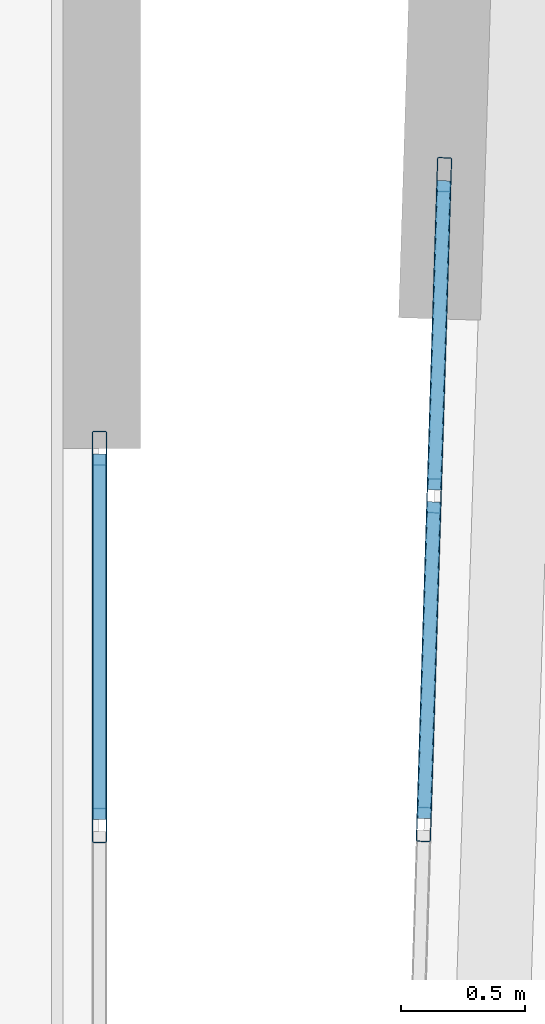
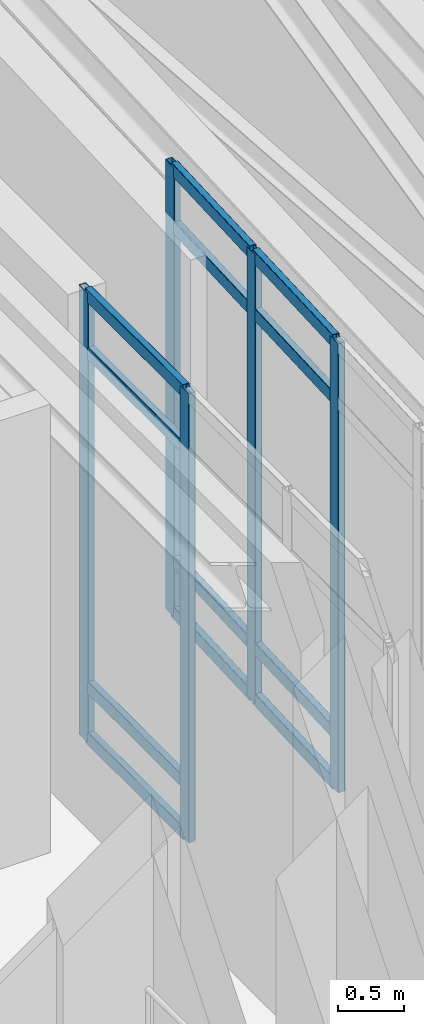
# One storey, part 11 of 19: 17 members, 2 elements without a shape of their own.
"""IFC4 building model written with IfcOpenShell, lengths in metres."""

from ifc_helpers import new_model, si_unit, direction, frame, origin, origin_2d, place, context, subcontext, project, spatial, hollow_rectangle, extrude, material, layer, layer_set, material_profile, profile_set, type_object, element, aggregate, save


model = new_model("IFC4")

# Units and contexts
model_context = context("Model", 3, precision=1e-05, world=origin(), true_north=direction((0.0, 1.0)))
body_context = subcontext(model_context, "Body", "Model", "MODEL_VIEW")
ifc_project = project(units=[si_unit("LENGTHUNIT", "METRE"), si_unit("AREAUNIT", "SQUARE_METRE"), si_unit("VOLUMEUNIT", "CUBIC_METRE"), si_unit("PLANEANGLEUNIT", "RADIAN"), si_unit("MASSUNIT", "GRAM", prefix="KILO")], contexts=[model_context])

# Site, building, storey
site_placement = place(None, origin())
site = spatial("IfcSite", under=ifc_project, at=site_placement, CompositionType="ELEMENT")
building_placement = place(site_placement, origin())
building = spatial("IfcBuilding", under=site, at=building_placement, Name="Ndelora Gate Hotel", CompositionType="ELEMENT")
storey_placement = place(building_placement, frame((0.0, 0.0, 294.800048828125)))
storey = spatial("IfcBuildingStorey", under=building, at=storey_placement, Name="L73", CompositionType="ELEMENT", Elevation=294.800048828125)

# Curtain wall, members
ifc_material_1 = material(Name="Bronze Anodised Unitised Aluminium and Low-E Glass", Category="aluminium")
ifc_layer = layer(ifc_material_1, 0.199951171875)
ifc_layer_set = layer_set([ifc_layer], Name="Bronze Anodised Unitised Aluminium and Low-E Glass")
curtain_wall_type = type_object("IfcCurtainWallType", Name="CW-SYS-8", PredefinedType="NOTDEFINED", material=ifc_layer_set)
curtain_wall_1_placement = place(storey_placement, origin())
curtain_wall_1 = element("IfcCurtainWall", 1, at=curtain_wall_1_placement, inside=storey, type_object=curtain_wall_type, Name="L73 Split-Crown West Cleft Lantern Curtain Wall CW8-2", PredefinedType="NOTDEFINED")
ifc_material_2 = material(Name="Bronze Anodised Aluminium 6063-T6", Category="aluminium")
ifc_material_profile_1 = material_profile(ifc_material_2, hollow_rectangle(XDim=0.06005859375, YDim=0.139892578125, WallThickness=0.00390625, InnerFilletRadius=0.00390625, OuterFilletRadius=0.008056640625, at=origin_2d()), Name="ALU 140x60x4")
ifc_profile_set_1 = profile_set([ifc_material_profile_1], Name="Bronze Anodised Aluminium 6063-T6")
member_type_1 = type_object("IfcMemberType", Name="MB-CW-MUL140", PredefinedType="MULLION", material=ifc_profile_set_1)
member_1_placement = place(storey_placement, frame((8.85009765625, 4.0, -0.004150390625), z_axis=(0.0, 0.0, 1.0), x_axis=(-1.0, 0.0, 0.0)))
member_1 = element("IfcMember", 2, at=member_1_placement, type_object=member_type_1, Name="CW8 mullion 3", PredefinedType="MULLION", context=body_context, shape_type="SweptSolid", body=[
    extrude(hollow_rectangle(XDim=0.06005859375, YDim=0.139892578125, WallThickness=0.00390625, InnerFilletRadius=0.00390625, OuterFilletRadius=0.008056640625, at=origin_2d()), origin(), (0.0, 0.0, 1.0), 4.13818359375),
])
member_2_placement = place(storey_placement, frame((8.85009765625, 5.52001953125, -0.004150390625), z_axis=(0.0, 0.0, 1.0), x_axis=(-1.0, 0.0, 0.0)))
member_2 = element("IfcMember", 3, at=member_2_placement, type_object=member_type_1, Name="CW8 mullion 4", PredefinedType="MULLION", context=body_context, shape_type="SweptSolid", body=[
    extrude(hollow_rectangle(XDim=0.06005859375, YDim=0.139892578125, WallThickness=0.00390625, InnerFilletRadius=0.00390625, OuterFilletRadius=0.008056640625, at=origin_2d()), origin(), (0.0, 0.0, 1.0), 4.13818359375),
])

curtain_wall_2_placement = place(storey_placement, origin())
curtain_wall_2 = element("IfcCurtainWall", 4, at=curtain_wall_2_placement, inside=storey, type_object=curtain_wall_type, Name="L73 Split-Crown East Cleft Lantern Curtain Wall CW8", PredefinedType="NOTDEFINED")
member_3_placement = place(storey_placement, frame((10.23876953125, 6.622314453125, -0.004150390625), z_axis=(0.0, 0.0, 1.0), x_axis=(0.999515302198, -0.031131345484, 0.0)))
member_3 = element("IfcMember", 5, at=member_3_placement, type_object=member_type_1, Name="CW8 mullion 1", PredefinedType="MULLION", context=body_context, shape_type="SweptSolid", body=[
    extrude(hollow_rectangle(XDim=0.06005859375, YDim=0.139892578125, WallThickness=0.00390625, InnerFilletRadius=0.00390625, OuterFilletRadius=0.008056640625, at=origin_2d()), origin(), (0.0, 0.0, 1.0), 4.13818359375),
])
member_4_placement = place(storey_placement, frame((10.198486328125, 5.328125, -0.004150390625), z_axis=(0.0, 0.0, 1.0), x_axis=(0.999515302198, -0.031131345484, 0.0)))
member_4 = element("IfcMember", 6, at=member_4_placement, type_object=member_type_1, Name="CW8 mullion 2", PredefinedType="MULLION", context=body_context, shape_type="SweptSolid", body=[
    extrude(hollow_rectangle(XDim=0.06005859375, YDim=0.139892578125, WallThickness=0.00390625, InnerFilletRadius=0.00390625, OuterFilletRadius=0.008056640625, at=origin_2d()), origin(), (0.0, 0.0, 1.0), 4.13818359375),
])
member_5_placement = place(storey_placement, frame((10.1572265625, 4.004150390625, -0.004150390625), z_axis=(0.0, 0.0, 1.0), x_axis=(0.999515302198, -0.031131345484, 0.0)))
member_5 = element("IfcMember", 7, at=member_5_placement, type_object=member_type_1, Name="CW8 mullion 3", PredefinedType="MULLION", context=body_context, shape_type="SweptSolid", body=[
    extrude(hollow_rectangle(XDim=0.06005859375, YDim=0.139892578125, WallThickness=0.00390625, InnerFilletRadius=0.00390625, OuterFilletRadius=0.008056640625, at=origin_2d()), origin(), (0.0, 0.0, 1.0), 4.13818359375),
])

# Member
ifc_material_profile_2 = material_profile(ifc_material_2, hollow_rectangle(XDim=0.06005859375, YDim=0.1201171875, WallThickness=0.00390625, InnerFilletRadius=0.00390625, OuterFilletRadius=0.008056640625, at=origin_2d()), Name="ALU 120x60x4")
ifc_profile_set_2 = profile_set([ifc_material_profile_2], Name="Bronze Anodised Aluminium 6063-T6")
member_type_2 = type_object("IfcMemberType", Name="MB-CW-TRN120", PredefinedType="USERDEFINED", material=ifc_profile_set_2)
member_6_placement = place(storey_placement, frame((8.85009765625, 4.02392578125, 0.030029296875), z_axis=(0.0, 1.0, 0.0), x_axis=(-1.0, 0.0, 0.0)))
member_6 = element("IfcMember", 8, at=member_6_placement, type_object=member_type_2, Name="CW8 transom 3.1", ObjectType="TRANSOM", PredefinedType="USERDEFINED", context=body_context, shape_type="SweptSolid", body=[
    extrude(hollow_rectangle(XDim=0.06005859375, YDim=0.1201171875, WallThickness=0.00390625, InnerFilletRadius=0.00390625, OuterFilletRadius=0.008056640625, at=origin_2d()), origin(), (0.0, 0.0, 1.0), 1.47216796875),
])

member_7_placement = place(storey_placement, frame((8.85009765625, 4.02392578125, 0.5), z_axis=(0.0, 1.0, 0.0), x_axis=(-1.0, 0.0, 0.0)))
member_7 = element("IfcMember", 9, at=member_7_placement, type_object=member_type_2, Name="CW8 transom 3.2", ObjectType="TRANSOM", PredefinedType="USERDEFINED", context=body_context, shape_type="SweptSolid", body=[
    extrude(hollow_rectangle(XDim=0.06005859375, YDim=0.1201171875, WallThickness=0.00390625, InnerFilletRadius=0.00390625, OuterFilletRadius=0.008056640625, at=origin_2d()), origin(), (0.0, 0.0, 1.0), 1.47216796875),
])

member_8_placement = place(storey_placement, frame((8.85009765625, 4.02392578125, 3.579833984375), z_axis=(0.0, 1.0, 0.0), x_axis=(-1.0, 0.0, 0.0)))
member_8 = element("IfcMember", 10, at=member_8_placement, type_object=member_type_2, Name="CW8 transom 3.3", ObjectType="TRANSOM", PredefinedType="USERDEFINED", context=body_context, shape_type="SweptSolid", body=[
    extrude(hollow_rectangle(XDim=0.06005859375, YDim=0.1201171875, WallThickness=0.00390625, InnerFilletRadius=0.00390625, OuterFilletRadius=0.008056640625, at=origin_2d()), origin(), (0.0, 0.0, 1.0), 1.47216796875),
])

member_9_placement = place(storey_placement, frame((8.85009765625, 4.02392578125, 4.099853515625), z_axis=(0.0, 1.0, 0.0), x_axis=(-1.0, 0.0, 0.0)))
member_9 = element("IfcMember", 11, at=member_9_placement, type_object=member_type_2, Name="CW8 transom 3.4", ObjectType="TRANSOM", PredefinedType="USERDEFINED", context=body_context, shape_type="SweptSolid", body=[
    extrude(hollow_rectangle(XDim=0.06005859375, YDim=0.1201171875, WallThickness=0.00390625, InnerFilletRadius=0.00390625, OuterFilletRadius=0.008056640625, at=origin_2d()), origin(), (0.0, 0.0, 1.0), 1.47216796875),
])

aggregate(curtain_wall_1, [member_1, member_2, member_6, member_7, member_8, member_9])

member_10_placement = place(storey_placement, frame((10.238037109375, 6.59814453125, 0.030029296875), z_axis=(-0.031143028646, -0.999514938241, 0.0), x_axis=(0.999514938241, -0.031143028646, 0.0)))
member_10 = element("IfcMember", 12, at=member_10_placement, type_object=member_type_2, Name="CW8 transom 1.1", ObjectType="TRANSOM", PredefinedType="USERDEFINED", context=body_context, shape_type="SweptSolid", body=[
    extrude(hollow_rectangle(XDim=0.06005859375, YDim=0.1201171875, WallThickness=0.00390625, InnerFilletRadius=0.00390625, OuterFilletRadius=0.008056640625, at=origin_2d()), origin(), (0.0, 0.0, 1.0), 1.246337890625),
])

member_11_placement = place(storey_placement, frame((10.238037109375, 6.59814453125, 0.5), z_axis=(-0.031143028646, -0.999514938241, 0.0), x_axis=(0.999514938241, -0.031143028646, 0.0)))
member_11 = element("IfcMember", 13, at=member_11_placement, type_object=member_type_2, Name="CW8 transom 1.2", ObjectType="TRANSOM", PredefinedType="USERDEFINED", context=body_context, shape_type="SweptSolid", body=[
    extrude(hollow_rectangle(XDim=0.06005859375, YDim=0.1201171875, WallThickness=0.00390625, InnerFilletRadius=0.00390625, OuterFilletRadius=0.008056640625, at=origin_2d()), origin(), (0.0, 0.0, 1.0), 1.246337890625),
])

member_12_placement = place(storey_placement, frame((10.238037109375, 6.59814453125, 3.579833984375), z_axis=(-0.031143028646, -0.999514938241, 0.0), x_axis=(0.999514938241, -0.031143028646, 0.0)))
member_12 = element("IfcMember", 14, at=member_12_placement, type_object=member_type_2, Name="CW8 transom 1.3", ObjectType="TRANSOM", PredefinedType="USERDEFINED", context=body_context, shape_type="SweptSolid", body=[
    extrude(hollow_rectangle(XDim=0.06005859375, YDim=0.1201171875, WallThickness=0.00390625, InnerFilletRadius=0.00390625, OuterFilletRadius=0.008056640625, at=origin_2d()), origin(), (0.0, 0.0, 1.0), 1.246337890625),
])

member_13_placement = place(storey_placement, frame((10.238037109375, 6.59814453125, 4.099853515625), z_axis=(-0.031143028646, -0.999514938241, 0.0), x_axis=(0.999514938241, -0.031143028646, 0.0)))
member_13 = element("IfcMember", 15, at=member_13_placement, type_object=member_type_2, Name="CW8 transom 1.4", ObjectType="TRANSOM", PredefinedType="USERDEFINED", context=body_context, shape_type="SweptSolid", body=[
    extrude(hollow_rectangle(XDim=0.06005859375, YDim=0.1201171875, WallThickness=0.00390625, InnerFilletRadius=0.00390625, OuterFilletRadius=0.008056640625, at=origin_2d()), origin(), (0.0, 0.0, 1.0), 1.246337890625),
])

member_14_placement = place(storey_placement, frame((10.19775390625, 5.30419921875, 0.030029296875), z_axis=(-0.031175042529, -0.999513940235, 0.0), x_axis=(0.999513940235, -0.031175042529, 0.0)))
member_14 = element("IfcMember", 16, at=member_14_placement, type_object=member_type_2, Name="CW8 transom 2.1", ObjectType="TRANSOM", PredefinedType="USERDEFINED", context=body_context, shape_type="SweptSolid", body=[
    extrude(hollow_rectangle(XDim=0.06005859375, YDim=0.1201171875, WallThickness=0.00390625, InnerFilletRadius=0.00390625, OuterFilletRadius=0.008056640625, at=origin_2d()), origin(), (0.0, 0.0, 1.0), 1.276611328125),
])

member_15_placement = place(storey_placement, frame((10.19775390625, 5.30419921875, 0.5), z_axis=(-0.031175042529, -0.999513940235, 0.0), x_axis=(0.999513940235, -0.031175042529, 0.0)))
member_15 = element("IfcMember", 17, at=member_15_placement, type_object=member_type_2, Name="CW8 transom 2.2", ObjectType="TRANSOM", PredefinedType="USERDEFINED", context=body_context, shape_type="SweptSolid", body=[
    extrude(hollow_rectangle(XDim=0.06005859375, YDim=0.1201171875, WallThickness=0.00390625, InnerFilletRadius=0.00390625, OuterFilletRadius=0.008056640625, at=origin_2d()), origin(), (0.0, 0.0, 1.0), 1.276611328125),
])

member_16_placement = place(storey_placement, frame((10.19775390625, 5.30419921875, 3.579833984375), z_axis=(-0.031175042529, -0.999513940235, 0.0), x_axis=(0.999513940235, -0.031175042529, 0.0)))
member_16 = element("IfcMember", 18, at=member_16_placement, type_object=member_type_2, Name="CW8 transom 2.3", ObjectType="TRANSOM", PredefinedType="USERDEFINED", context=body_context, shape_type="SweptSolid", body=[
    extrude(hollow_rectangle(XDim=0.06005859375, YDim=0.1201171875, WallThickness=0.00390625, InnerFilletRadius=0.00390625, OuterFilletRadius=0.008056640625, at=origin_2d()), origin(), (0.0, 0.0, 1.0), 1.276611328125),
])

member_17_placement = place(storey_placement, frame((10.19775390625, 5.30419921875, 4.099853515625), z_axis=(-0.031175042529, -0.999513940235, 0.0), x_axis=(0.999513940235, -0.031175042529, 0.0)))
member_17 = element("IfcMember", 19, at=member_17_placement, type_object=member_type_2, Name="CW8 transom 2.4", ObjectType="TRANSOM", PredefinedType="USERDEFINED", context=body_context, shape_type="SweptSolid", body=[
    extrude(hollow_rectangle(XDim=0.06005859375, YDim=0.1201171875, WallThickness=0.00390625, InnerFilletRadius=0.00390625, OuterFilletRadius=0.008056640625, at=origin_2d()), origin(), (0.0, 0.0, 1.0), 1.276611328125),
])

aggregate(curtain_wall_2, [member_3, member_4, member_5, member_10, member_11, member_12, member_13, member_14, member_15, member_16, member_17])

save(model, "model.ifc")
